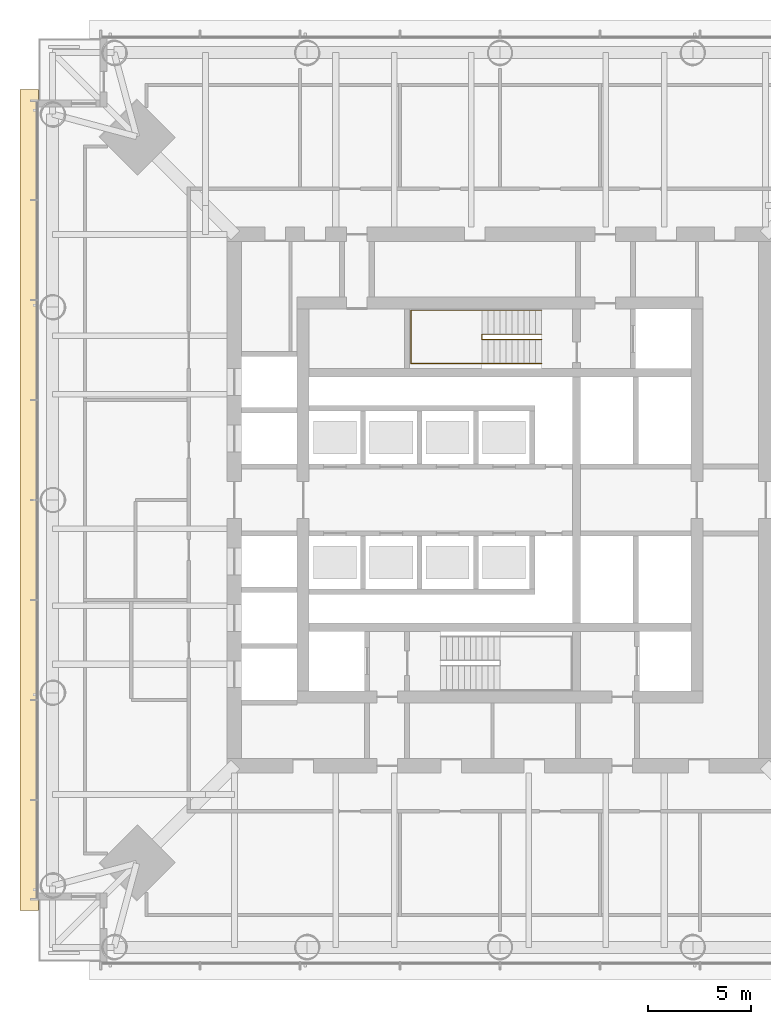
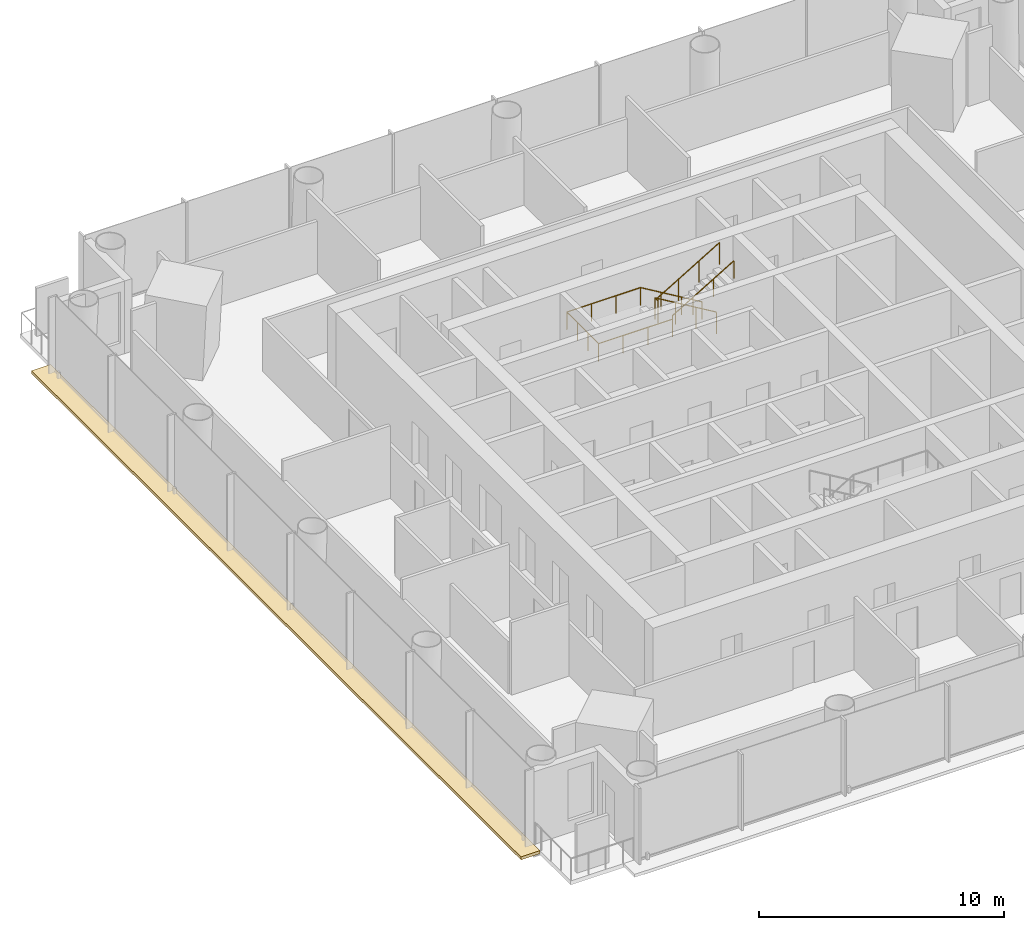
# One storey, part 23 of 27: 2 railings, 1 covering.
"""IFC4 building model written with IfcOpenShell, lengths in metres."""

from ifc_helpers import new_model, si_unit, direction, frame, origin, origin_2d, place, context, subcontext, project, spatial, polyline, circle, outline, extrude, material, layer, layer_set, type_object, element, save


model = new_model("IFC4")

# Units and contexts
model_context = context("Model", 3, precision=1e-05, world=origin(), true_north=direction((0.0, 1.0)))
body_context = subcontext(model_context, "Body", "Model", "MODEL_VIEW")
ifc_project = project(units=[si_unit("LENGTHUNIT", "METRE"), si_unit("AREAUNIT", "SQUARE_METRE"), si_unit("VOLUMEUNIT", "CUBIC_METRE"), si_unit("PLANEANGLEUNIT", "RADIAN"), si_unit("MASSUNIT", "GRAM", prefix="KILO")], contexts=[model_context])

# Site, building, storey
site_placement = place(None, origin())
site = spatial("IfcSite", under=ifc_project, at=site_placement, CompositionType="ELEMENT")
building_placement = place(site_placement, origin())
building = spatial("IfcBuilding", under=site, at=building_placement, Name="Ostroluk Exchange", CompositionType="ELEMENT")
storey_placement = place(building_placement, frame((0.0, 0.0, 89.39990234375)))
storey = spatial("IfcBuildingStorey", under=building, at=storey_placement, Name="L22", CompositionType="ELEMENT", Elevation=89.39990234375)

# Covering
ifc_material_1 = material(Name="Insulated steel roof deck with membrane, laid to falls, aluminium coping", Category="steel")
ifc_layer = layer(ifc_material_1, 0.14990234375)
ifc_layer_set = layer_set([ifc_layer], Name="Setback maintenance roof")
covering_type = type_object("IfcCoveringType", Name="Setback maintenance roof", PredefinedType="ROOFING", material=ifc_layer_set)
covering_placement = place(storey_placement, frame((0.0, 0.0, -0.14990234375)))
element("IfcCovering", 1, at=covering_placement, inside=storey, type_object=covering_type, Name="Maintenance roof, setback L22 west", PredefinedType="ROOFING", context=body_context, shape_type="SweptSolid", body=[
    extrude(outline(polyline([(21.60009765625, 66.0), (22.5, 66.0), (22.5, 26.0), (21.60009765625, 26.0), (21.60009765625, 66.0)])), origin(), (0.0, 0.0, 1.0), 0.14990234375),
])

# Railings
ifc_material_2 = material(Name="Steel S355", Category="steel")
railing_type_1 = type_object("IfcRailingType", Name="Stair guard 1100", PredefinedType="GUARDRAIL", material=ifc_material_2)
railing_1_placement = place(storey_placement, frame((47.030029296875, 54.080078125, 0.1728515625)))
element("IfcRailing", 2, at=railing_1_placement, inside=storey, type_object=railing_type_1, Name="Stair T1-S2 guard L22", PredefinedType="GUARDRAIL", context=body_context, shape_type="SweptSolid", body=[
    extrude(circle(Radius=0.02392578125, at=origin_2d()), frame((0.0, 0.0, 1.076171875), z_axis=(-0.859160404282, 0.0, 0.51170636083), x_axis=(0.0, -1.0, 0.0)), (0.0, 0.0, 1.0), 3.37548828125),
    extrude(circle(Radius=0.02392578125, at=origin_2d()), frame((-2.900146484375, 0.0, 2.80322265625), z_axis=(0.0, -1.0, 0.0), x_axis=(1.0, 0.0, 0.0)), (0.0, 0.0, 1.0), 0.260009765625),
    extrude(circle(Radius=0.02392578125, at=origin_2d()), frame((-2.900146484375, -0.260009765625, 2.80322265625), z_axis=(0.0, 0.0, 1.0), x_axis=(1.0, 0.0, 0.0)), (0.0, 0.0, 1.0), 0.172607421875),
    extrude(circle(Radius=0.02392578125, at=origin_2d()), frame((-2.900146484375, -0.260009765625, 2.97607421875), z_axis=(0.859160404282, 0.0, 0.51170636083), x_axis=(0.0, 1.0, 0.0)), (0.0, 0.0, 1.0), 3.37548828125),
    extrude(circle(Radius=0.02099609375, at=origin_2d()), origin(), (0.0, 0.0, 1.0), 1.052001953125),
    extrude(circle(Radius=0.02099609375, at=origin_2d()), frame((-0.966796875, 0.0, 0.57568359375)), (0.0, 0.0, 1.0), 1.052001953125),
    extrude(circle(Radius=0.02099609375, at=origin_2d()), frame((-1.933349609375, 0.0, 1.151611328125)), (0.0, 0.0, 1.0), 1.052001953125),
    extrude(circle(Radius=0.02099609375, at=origin_2d()), frame((-2.900146484375, 0.0, 1.727294921875)), (0.0, 0.0, 1.0), 1.052001953125),
    extrude(circle(Radius=0.02099609375, at=origin_2d()), frame((-2.900146484375, -0.260009765625, 1.727294921875)), (0.0, 0.0, 1.0), 1.052001953125),
    extrude(circle(Radius=0.02099609375, at=origin_2d()), frame((-2.900146484375, -0.260009765625, 1.89990234375)), (0.0, 0.0, 1.0), 1.052001953125),
    extrude(circle(Radius=0.02099609375, at=origin_2d()), frame((-1.933349609375, -0.260009765625, 2.4755859375)), (0.0, 0.0, 1.0), 1.052001953125),
    extrude(circle(Radius=0.02099609375, at=origin_2d()), frame((-0.966796875, -0.260009765625, 3.051513671875)), (0.0, 0.0, 1.0), 1.052001953125),
    extrude(circle(Radius=0.02099609375, at=origin_2d()), frame((0.0, -0.260009765625, 3.627197265625)), (0.0, 0.0, 1.0), 1.052001953125),
])
ifc_material_3 = material(Name="Stainless steel", Category="steel")
railing_type_2 = type_object("IfcRailingType", Name="Stair handrail 900", PredefinedType="HANDRAIL", material=ifc_material_3)
railing_2_placement = place(storey_placement, frame((47.030029296875, 55.25, 0.1728515625)))
element("IfcRailing", 3, at=railing_2_placement, inside=storey, type_object=railing_type_2, Name="Stair T1-S2 handrail L22", PredefinedType="HANDRAIL", context=body_context, shape_type="SweptSolid", body=[
    extrude(circle(Radius=0.02392578125, at=origin_2d()), frame((0.0, 0.0, 0.8759765625), z_axis=(-0.859160404282, 0.0, 0.51170636083), x_axis=(0.0, -1.0, 0.0)), (0.0, 0.0, 1.0), 3.37548828125),
    extrude(circle(Radius=0.02392578125, at=origin_2d()), frame((-2.900146484375, 0.0, 2.60302734375), z_axis=(-1.0, 0.0, 0.0), x_axis=(0.0, -1.0, 0.0)), (0.0, 0.0, 1.0), 3.47998046875),
    extrude(circle(Radius=0.02392578125, at=origin_2d()), frame((-6.380126953125, 0.0, 2.60302734375), z_axis=(0.0, -1.0, 0.0), x_axis=(1.0, 0.0, 0.0)), (0.0, 0.0, 1.0), 2.60009765625),
    extrude(circle(Radius=0.02392578125, at=origin_2d()), frame((-6.380126953125, -2.60009765625, 2.60302734375), z_axis=(1.0, 0.0, 0.0), x_axis=(0.0, 1.0, 0.0)), (0.0, 0.0, 1.0), 3.47998046875),
    extrude(circle(Radius=0.02392578125, at=origin_2d()), frame((-2.900146484375, -2.60009765625, 2.60302734375), z_axis=(0.0, 0.0, 1.0), x_axis=(1.0, 0.0, 0.0)), (0.0, 0.0, 1.0), 0.172607421875),
    extrude(circle(Radius=0.02392578125, at=origin_2d()), frame((-2.900146484375, -2.60009765625, 2.77587890625), z_axis=(0.859160404282, 0.0, 0.51170636083), x_axis=(0.0, 1.0, 0.0)), (0.0, 0.0, 1.0), 3.37548828125),
    extrude(circle(Radius=0.02099609375, at=origin_2d()), origin(), (0.0, 0.0, 1.0), 0.851806640625),
    extrude(circle(Radius=0.02099609375, at=origin_2d()), frame((-0.966796875, 0.0, 0.57568359375)), (0.0, 0.0, 1.0), 0.851806640625),
    extrude(circle(Radius=0.02099609375, at=origin_2d()), frame((-1.933349609375, 0.0, 1.151611328125)), (0.0, 0.0, 1.0), 0.851806640625),
    extrude(circle(Radius=0.02099609375, at=origin_2d()), frame((-2.900146484375, 0.0, 1.727294921875)), (0.0, 0.0, 1.0), 0.851806640625),
    extrude(circle(Radius=0.02099609375, at=origin_2d()), frame((-4.06005859375, 0.0, 1.727294921875)), (0.0, 0.0, 1.0), 0.851806640625),
    extrude(circle(Radius=0.02099609375, at=origin_2d()), frame((-5.22021484375, 0.0, 1.727294921875)), (0.0, 0.0, 1.0), 0.851806640625),
    extrude(circle(Radius=0.02099609375, at=origin_2d()), frame((-6.380126953125, 0.0, 1.727294921875)), (0.0, 0.0, 1.0), 0.851806640625),
    extrude(circle(Radius=0.02099609375, at=origin_2d()), frame((-6.380126953125, -0.86669921875, 1.727294921875)), (0.0, 0.0, 1.0), 0.851806640625),
    extrude(circle(Radius=0.02099609375, at=origin_2d()), frame((-6.380126953125, -1.7333984375, 1.727294921875)), (0.0, 0.0, 1.0), 0.851806640625),
    extrude(circle(Radius=0.02099609375, at=origin_2d()), frame((-6.380126953125, -2.60009765625, 1.727294921875)), (0.0, 0.0, 1.0), 0.851806640625),
    extrude(circle(Radius=0.02099609375, at=origin_2d()), frame((-5.22021484375, -2.60009765625, 1.727294921875)), (0.0, 0.0, 1.0), 0.851806640625),
    extrude(circle(Radius=0.02099609375, at=origin_2d()), frame((-4.06005859375, -2.60009765625, 1.727294921875)), (0.0, 0.0, 1.0), 0.851806640625),
    extrude(circle(Radius=0.02099609375, at=origin_2d()), frame((-2.900146484375, -2.60009765625, 1.727294921875)), (0.0, 0.0, 1.0), 0.851806640625),
    extrude(circle(Radius=0.02099609375, at=origin_2d()), frame((-2.900146484375, -2.60009765625, 1.89990234375)), (0.0, 0.0, 1.0), 0.851806640625),
    extrude(circle(Radius=0.02099609375, at=origin_2d()), frame((-1.933349609375, -2.60009765625, 2.4755859375)), (0.0, 0.0, 1.0), 0.851806640625),
    extrude(circle(Radius=0.02099609375, at=origin_2d()), frame((-0.966796875, -2.60009765625, 3.051513671875)), (0.0, 0.0, 1.0), 0.851806640625),
    extrude(circle(Radius=0.02099609375, at=origin_2d()), frame((0.0, -2.60009765625, 3.627197265625)), (0.0, 0.0, 1.0), 0.851806640625),
])

save(model, "model.ifc")
